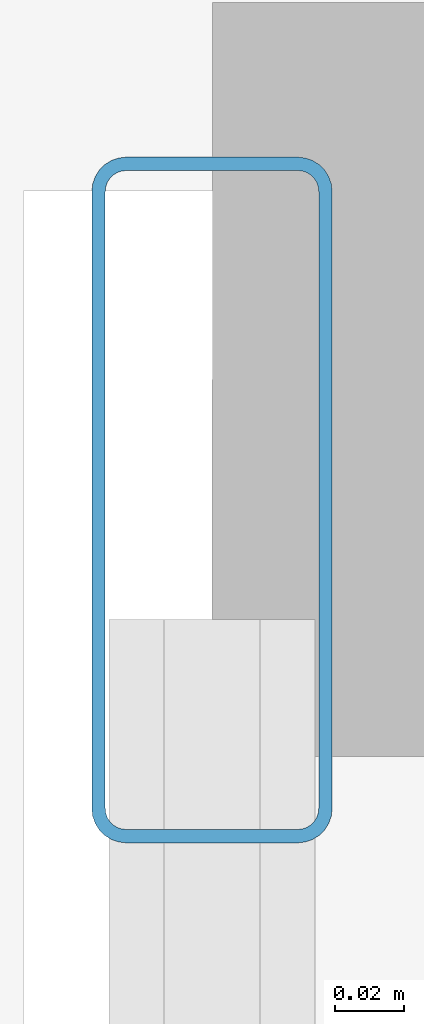
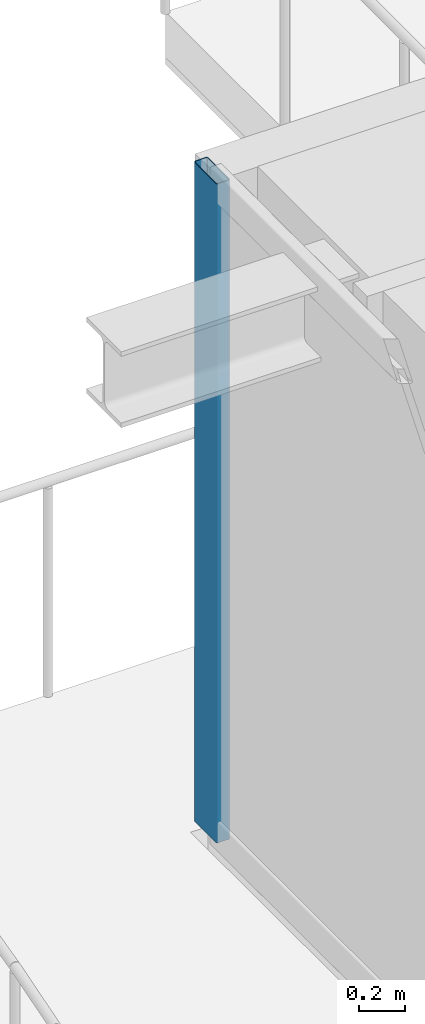
# One storey, part 18 of 40: 1 member, 1 element without a shape of its own.
"""IFC4 building model written with IfcOpenShell, lengths in metres."""

from ifc_helpers import new_model, si_unit, direction, frame, origin, origin_2d, place, context, subcontext, project, spatial, hollow_rectangle, extrude, source, transform, mapped, material, layer, layer_set, material_profile, profile_set, type_object, element, aggregate, save


model = new_model("IFC4")

# Units and contexts
model_context = context("Model", 3, precision=1e-05, world=origin(), true_north=direction((0.0, 1.0)))
body_context = subcontext(model_context, "Body", "Model", "MODEL_VIEW")
ifc_project = project(units=[si_unit("LENGTHUNIT", "METRE"), si_unit("AREAUNIT", "SQUARE_METRE"), si_unit("VOLUMEUNIT", "CUBIC_METRE"), si_unit("PLANEANGLEUNIT", "RADIAN"), si_unit("MASSUNIT", "GRAM", prefix="KILO")], contexts=[model_context])

# Site, building, storey
site_placement = place(None, origin())
site = spatial("IfcSite", under=ifc_project, at=site_placement, CompositionType="ELEMENT")
building_placement = place(site_placement, origin())
building = spatial("IfcBuilding", under=site, at=building_placement, Name="Serunith Strait Residences", CompositionType="ELEMENT")
storey_placement = place(building_placement, frame((0.0, 0.0, 90.449951171875)))
storey = spatial("IfcBuildingStorey", under=building, at=storey_placement, Name="L22", CompositionType="ELEMENT", Elevation=90.449951171875)

# Curtain wall, member
ifc_material = material(Name="Pale-Champagne Anodised Aluminium", Category="aluminium")
ifc_layer = layer(ifc_material, 0.199951171875, Name="Pale-Champagne Anodised Aluminium")
ifc_layer_set = layer_set([ifc_layer], Name="Pale-Champagne Anodised Aluminium")
curtain_wall_type = type_object("IfcCurtainWallType", Name="CW-SYS1", PredefinedType="NOTDEFINED", material=ifc_layer_set)
curtain_wall_placement = place(storey_placement, origin())
curtain_wall = element("IfcCurtainWall", 1, at=curtain_wall_placement, inside=storey, type_object=curtain_wall_type, Name="L22 W Unitised Fritted Curtain Wall", PredefinedType="NOTDEFINED")
ifc_material_profile = material_profile(ifc_material, hollow_rectangle(XDim=0.070068359375, YDim=0.199951171875, WallThickness=0.00390625, InnerFilletRadius=0.006103515625, OuterFilletRadius=0.010009765625, at=origin_2d()), Name="ALU 200x70x4")
ifc_profile_set = profile_set([ifc_material_profile], Name="Pale-Champagne Anodised Aluminium")
member_type = type_object("IfcMemberType", Name="CW-SYS1-MULL", PredefinedType="MULLION", material=ifc_profile_set)
shared_shape = source(origin(), body_context, "Body", "SweptSolid", [
    extrude(hollow_rectangle(XDim=0.070068359375, YDim=0.199951171875, WallThickness=0.00390625, InnerFilletRadius=0.006103515625, OuterFilletRadius=0.010009765625, at=origin_2d()), origin(), (0.0, 0.0, 1.0), 3.47509765625),
])
member_placement = place(storey_placement, frame((6.0, 41.764892578125, 0.0), z_axis=(0.0, 0.0, 1.0), x_axis=(1.0, 0.0, 0.0)))
member = element("IfcMember", 2, at=member_placement, type_object=member_type, Name="CW-1 mullion 1", PredefinedType="MULLION", context=body_context, shape_type="MappedRepresentation", body=[
    mapped(shared_shape, transform((0.0, 0.0, 0.0), scale=1.0)),
])
aggregate(curtain_wall, [member])

save(model, "model.ifc")
